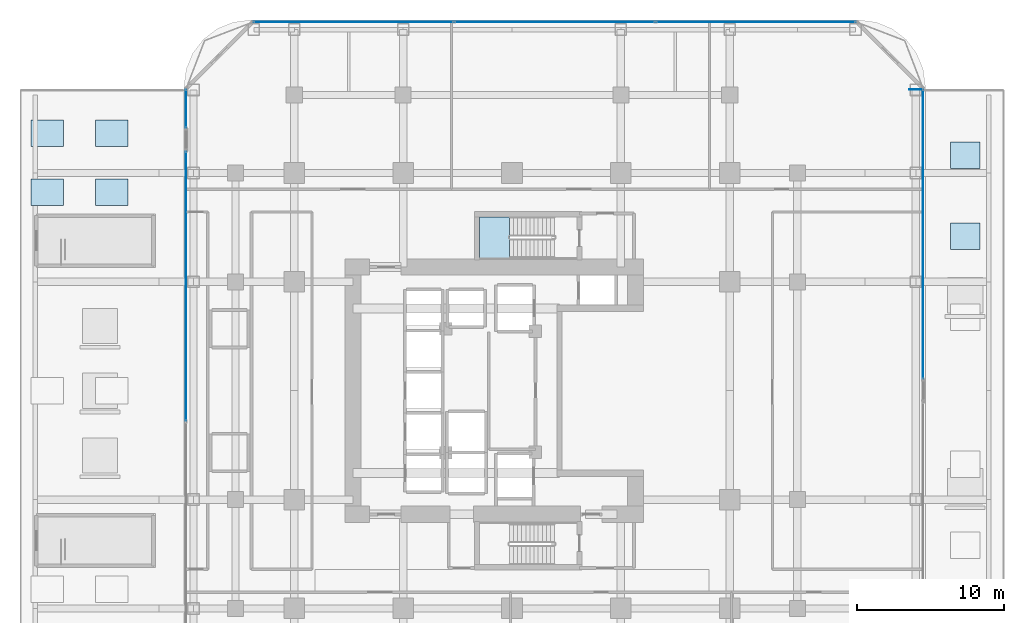
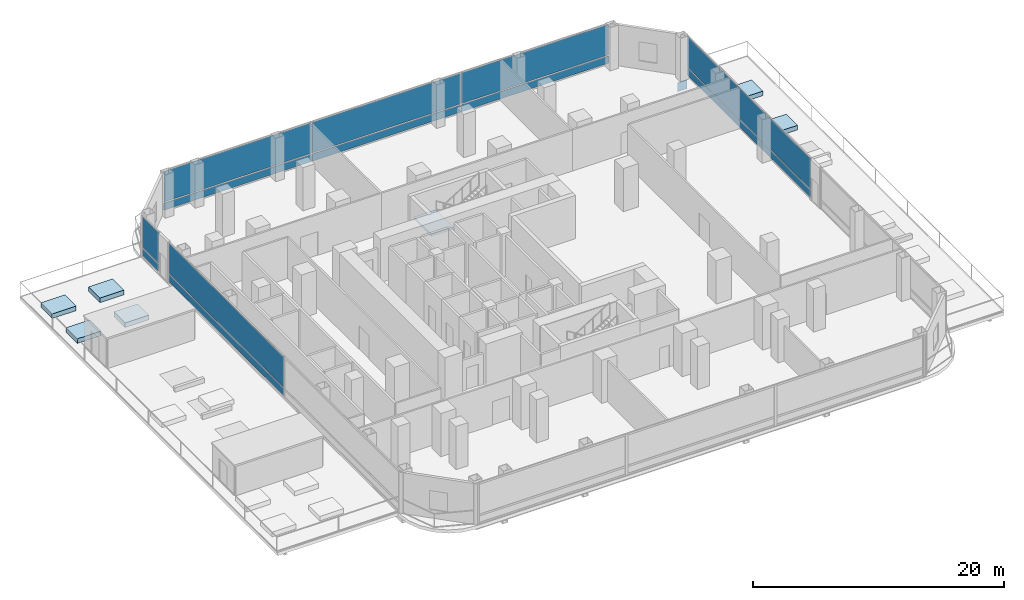
# One storey, part 22 of 29: 13 plates, 7 slabs, 5 elements without a shape of their own.
"""IFC4 building model written with IfcOpenShell, lengths in metres."""

import ifcopenshell
import ifcopenshell.guid

model = None  # the IFC model being written
_history = None  # IfcOwnerHistory: only IFC2X3 demands one
_inside = {}  # id of a spatial element -> (the spatial element, [elements in it])
_under = {}  # id of a project, library or spatial element -> (it, [spatial elements below it])
_declared = {}  # id of a project -> (the project, [libraries it declares])
_typed = {}  # id of a type object -> (the type object, [elements of that type])
_made_of = {}  # id of a material, layer set ... -> (it, [elements and type objects made of it])


def new_model(schema):
    """Start an empty IFC model of exactly this schema.

    Asked for "IFC4X3", IfcOpenShell would pick the latest addendum, in which some entities
    have other attributes; the version numbers below select the first issue.
    IFC2X3 requires an IfcOwnerHistory on every rooted entity: one is made here for all.
    """
    global model, _history
    if schema == "IFC4X3":
        model = ifcopenshell.file(schema_version=(4, 3, 0, 0))
    else:
        model = ifcopenshell.file(schema=schema)
    _inside.clear()
    _under.clear()
    _declared.clear()
    _typed.clear()
    _made_of.clear()
    _history = None
    if model.schema == "IFC2X3":
        org = make("IfcOrganization", Name="unknown")
        user = make(
            "IfcPersonAndOrganization",
            ThePerson=make("IfcPerson", FamilyName="unknown"),
            TheOrganization=org,
        )
        app = make(
            "IfcApplication",
            ApplicationDeveloper=org,
            Version="unknown",
            ApplicationFullName="unknown",
            ApplicationIdentifier="unknown",
        )
        _history = make(
            "IfcOwnerHistory",
            OwningUser=user,
            OwningApplication=app,
            ChangeAction="ADDED",
            CreationDate=0,
        )
    return model


def make(cls, **values):
    """One entity of the class cls with the attributes given. An attribute that is None is left unset."""
    return model.create_entity(
        cls, **{name: value for name, value in values.items() if value is not None}
    )


def rooted(cls, **values):
    """An entity with a GlobalId (a new one), such as an element, a storey or a relation."""
    return make(cls, GlobalId=ifcopenshell.guid.new(), OwnerHistory=_history, **values)


def si_unit(unit_type, name, prefix=None):
    """IfcSIUnit, for example si_unit("LENGTHUNIT", "METRE", prefix="MILLI")."""
    return make("IfcSIUnit", UnitType=unit_type, Prefix=prefix, Name=name)


def assignment(units):
    """IfcUnitAssignment: the units of a project."""
    return None if units is None else make("IfcUnitAssignment", Units=units)


def point(xyz):
    """IfcCartesianPoint."""
    return None if xyz is None else make("IfcCartesianPoint", Coordinates=xyz)


def direction(xyz):
    """IfcDirection."""
    return None if xyz is None else make("IfcDirection", DirectionRatios=xyz)


def frame(location, z_axis=None, x_axis=None):
    """IfcAxis2Placement3D, a coordinate frame: its origin and axes. An axis left out is left unset."""
    return make(
        "IfcAxis2Placement3D",
        Location=point(location),
        Axis=direction(z_axis),
        RefDirection=direction(x_axis),
    )


def frame_2d(location, x_axis=None):
    """IfcAxis2Placement2D, a coordinate frame in the plane: its origin and x axis."""
    return make(
        "IfcAxis2Placement2D", Location=point(location), RefDirection=direction(x_axis)
    )


def origin():
    """The frame at (0, 0, 0) with its axes left unset."""
    return frame((0.0, 0.0, 0.0))


def origin_2d():
    """The frame at (0, 0) in the plane with its x axis left unset."""
    return frame_2d((0.0, 0.0))


def place(relative_to, where):
    """IfcLocalPlacement: puts the frame where relative to a parent placement (None: the world)."""
    return make(
        "IfcLocalPlacement", PlacementRelTo=relative_to, RelativePlacement=where
    )


def context(
    kind, dimensions, precision=None, world=None, true_north=None, identifier=None
):
    """IfcGeometricRepresentationContext, for example the 3D "Model" context."""
    return make(
        "IfcGeometricRepresentationContext",
        ContextIdentifier=identifier,
        ContextType=kind,
        CoordinateSpaceDimension=dimensions,
        Precision=precision,
        WorldCoordinateSystem=world,
        TrueNorth=true_north,
    )


def subcontext(parent, identifier, kind, view, scale=None):
    """IfcGeometricRepresentationSubContext, for example "Body" below "Model"."""
    return make(
        "IfcGeometricRepresentationSubContext",
        ContextIdentifier=identifier,
        ContextType=kind,
        ParentContext=parent,
        TargetScale=scale,
        TargetView=view,
    )


def project(units=None, contexts=None):
    """IfcProject with its units and contexts."""
    return rooted(
        "IfcProject",
        Name="project",
        RepresentationContexts=contexts,
        UnitsInContext=assignment(units),
    )


def spatial(cls, under=None, at=None, **own):
    """A site, building, storey or space (cls), placed at a placement, below another one or the project."""
    s = rooted(cls, ObjectPlacement=at, **own)
    if under is not None:
        _under.setdefault(under.id(), (under, []))[1].append(s)
    return s


def polyline(points):
    """IfcPolyline through the points."""
    return make("IfcPolyline", Points=[point(p) for p in points])


def profile(cls, at=None, kind="AREA", **sizes):
    """A parametric profile (cls). Its sizes go by their IFC names, for example OverallWidth=200.0."""
    return make(cls, ProfileType=kind, Position=at, **sizes)


def rectangle(**sizes):
    """IfcRectangleProfileDef."""
    return profile("IfcRectangleProfileDef", **sizes)


def outline(outer, holes=None, kind="AREA"):
    """IfcArbitraryClosedProfileDef: a profile drawn as a closed curve; with holes, ...WithVoids."""
    if holes is None:
        return make("IfcArbitraryClosedProfileDef", ProfileType=kind, OuterCurve=outer)
    return make(
        "IfcArbitraryProfileDefWithVoids",
        ProfileType=kind,
        OuterCurve=outer,
        InnerCurves=holes,
    )


def extrude(swept, where, along, depth):
    """IfcExtrudedAreaSolid: the profile swept, set in the frame where, extruded along a direction by depth."""
    return make(
        "IfcExtrudedAreaSolid",
        SweptArea=swept,
        Position=where,
        ExtrudedDirection=direction(along),
        Depth=depth,
    )


def shape(context_of_items, identifier, shape_type, items):
    """IfcShapeRepresentation: the items that make up one representation, for example the "Body"."""
    return make(
        "IfcShapeRepresentation",
        ContextOfItems=context_of_items,
        RepresentationIdentifier=identifier,
        RepresentationType=shape_type,
        Items=items,
    )


def material(Name=None, Category=None):
    """IfcMaterial."""
    return make("IfcMaterial", Name=Name, Category=Category)


def layer(
    of_material, thickness, ventilated=None, Name=None, Category=None, Priority=None
):
    """IfcMaterialLayer: one layer of a wall or slab, of a material (None: an air gap)."""
    return make(
        "IfcMaterialLayer",
        Material=of_material,
        LayerThickness=thickness,
        IsVentilated=ventilated,
        Name=Name,
        Category=Category,
        Priority=Priority,
    )


def layer_set(layers, Name=None):
    """IfcMaterialLayerSet."""
    return make("IfcMaterialLayerSet", MaterialLayers=layers, LayerSetName=Name)


def made_of(thing, what):
    """Note that an element or type object is made of a material, layer set ...; save() writes the relation."""
    if what is not None:
        _made_of.setdefault(what.id(), (what, []))[1].append(thing)
    return thing


def type_object(cls, material=None, **own):
    """A type object (cls), such as IfcWallType, which elements share."""
    return made_of(rooted(cls, **own), material)


def element(
    cls,
    number,
    at=None,
    inside=None,
    cuts=None,
    type_object=None,
    material=None,
    context=None,
    identifier="Body",
    shape_type=None,
    held_by="IfcProductDefinitionShape",
    body=None,
    shapes=None,
    **own,
):
    """One element of the class cls, such as IfcWall. Its Tag is "e" and its number.

    at: its placement. inside: the storey or other place that contains it. cuts: it is an
    opening in that element (IfcRelVoidsElement). A single representation is given by context,
    identifier, shape_type and body (its items); several are given by shapes. held_by: the class
    of the entity that holds the representations. save() writes the other relations.
    """
    e = rooted(cls, Tag="e%d" % number, ObjectPlacement=at, **own)
    if body is not None:
        shapes = [shape(context, identifier, shape_type, body)]
    if shapes is not None:
        e.Representation = make(held_by, Representations=shapes)
    if inside is not None:
        _inside.setdefault(inside.id(), (inside, []))[1].append(e)
    if cuts is not None:
        rooted(
            "IfcRelVoidsElement", RelatingBuildingElement=cuts, RelatedOpeningElement=e
        )
    if type_object is not None:
        _typed.setdefault(type_object.id(), (type_object, []))[1].append(e)
    return made_of(e, material)


def aggregate(whole, parts):
    """IfcRelAggregates: a whole, such as a stair, and the parts it consists of."""
    return rooted("IfcRelAggregates", RelatingObject=whole, RelatedObjects=parts)


def save(model, path):
    """Write the relations noted so far, then the file.

    IfcRelAggregates (storeys below a building ...), IfcRelContainedInSpatialStructure (elements
    in a storey), IfcRelDefinesByType, IfcRelAssociatesMaterial and IfcRelDeclares: one each for
    every whole, place, type object, material and project.
    """
    for whole, parts in _under.values():
        aggregate(whole, parts)
    for where, things in _inside.values():
        rooted(
            "IfcRelContainedInSpatialStructure",
            RelatedElements=things,
            RelatingStructure=where,
        )
    for kind, things in _typed.values():
        rooted("IfcRelDefinesByType", RelatedObjects=things, RelatingType=kind)
    for what, things in _made_of.values():
        rooted("IfcRelAssociatesMaterial", RelatedObjects=things, RelatingMaterial=what)
    for by, libraries in _declared.values():
        rooted("IfcRelDeclares", RelatingContext=by, RelatedDefinitions=libraries)
    model.write(path)


model = new_model("IFC4")

# Units and contexts
model_context = context("Model", 3, precision=1e-05, world=origin(), true_north=direction((0.0, 1.0)))
body_context = subcontext(model_context, "Body", "Model", "MODEL_VIEW")
ifc_project = project(units=[si_unit("LENGTHUNIT", "METRE"), si_unit("AREAUNIT", "SQUARE_METRE"), si_unit("VOLUMEUNIT", "CUBIC_METRE"), si_unit("PLANEANGLEUNIT", "RADIAN"), si_unit("MASSUNIT", "GRAM", prefix="KILO")], contexts=[model_context])

# Site, building, storey
site_placement = place(None, origin())
site = spatial("IfcSite", under=ifc_project, at=site_placement, CompositionType="ELEMENT")
building_placement = place(site_placement, origin())
building = spatial("IfcBuilding", under=site, at=building_placement, Name="Khorvyn Point Tower", CompositionType="ELEMENT")
storey_placement = place(building_placement, frame((0.0, 0.0, 26.39990234375)))
storey = spatial("IfcBuildingStorey", under=building, at=storey_placement, Name="L07", CompositionType="ELEMENT", Elevation=26.39990234375)

# Slabs
ifc_material_1 = material(Name="Concrete C35/45", Category="concrete")
ifc_layer_1 = layer(ifc_material_1, 0.449951171875)
ifc_layer_set_1 = layer_set([ifc_layer_1], Name="Concrete C35/45 Structural Garden Planter 450")
slab_type_1 = type_object("IfcSlabType", Name="Concrete C35/45 Structural Garden Planter 450", PredefinedType="USERDEFINED", material=ifc_layer_set_1)
slab_1_placement = place(storey_placement, origin())
element("IfcSlab", 1, at=slab_1_placement, inside=storey, type_object=slab_type_1, Name="L07 Botanical Garden Raised Planter 07", ObjectType="PLANTER", PredefinedType="USERDEFINED", context=body_context, shape_type="SweptSolid", body=[
    extrude(outline(polyline([(-32.699951171875, 12.60009765625), (-30.5, 12.60009765625), (-30.5, 14.39990234375), (-32.699951171875, 14.39990234375), (-32.699951171875, 12.60009765625)])), origin(), (0.0, 0.0, 1.0), 0.4501953125),
])
slab_2_placement = place(storey_placement, origin())
element("IfcSlab", 2, at=slab_2_placement, inside=storey, type_object=slab_type_1, Name="L07 Botanical Garden Raised Planter 08", ObjectType="PLANTER", PredefinedType="USERDEFINED", context=body_context, shape_type="SweptSolid", body=[
    extrude(outline(polyline([(-28.300048828125, 12.60009765625), (-26.10009765625, 12.60009765625), (-26.10009765625, 14.39990234375), (-28.300048828125, 14.39990234375), (-28.300048828125, 12.60009765625)])), origin(), (0.0, 0.0, 1.0), 0.4501953125),
])
slab_3_placement = place(storey_placement, origin())
element("IfcSlab", 3, at=slab_3_placement, inside=storey, type_object=slab_type_1, Name="L07 Botanical Garden Raised Planter 09", ObjectType="PLANTER", PredefinedType="USERDEFINED", context=body_context, shape_type="SweptSolid", body=[
    extrude(outline(polyline([(-32.699951171875, 16.60009765625), (-30.5, 16.60009765625), (-30.5, 18.39990234375), (-32.699951171875, 18.39990234375), (-32.699951171875, 16.60009765625)])), origin(), (0.0, 0.0, 1.0), 0.4501953125),
])
slab_4_placement = place(storey_placement, origin())
element("IfcSlab", 4, at=slab_4_placement, inside=storey, type_object=slab_type_1, Name="L07 Botanical Garden Raised Planter 10", ObjectType="PLANTER", PredefinedType="USERDEFINED", context=body_context, shape_type="SweptSolid", body=[
    extrude(outline(polyline([(-28.300048828125, 16.60009765625), (-26.10009765625, 16.60009765625), (-26.10009765625, 18.39990234375), (-28.300048828125, 18.39990234375), (-28.300048828125, 16.60009765625)])), origin(), (0.0, 0.0, 1.0), 0.4501953125),
])
slab_5_placement = place(storey_placement, origin())
element("IfcSlab", 5, at=slab_5_placement, inside=storey, type_object=slab_type_1, Name="L07 East Botanical Garden Planter 15", ObjectType="PLANTER", PredefinedType="USERDEFINED", context=body_context, shape_type="SweptSolid", body=[
    extrude(outline(polyline([(29.800048828125, 9.60009765625), (31.800048828125, 9.60009765625), (31.800048828125, 11.39990234375), (29.800048828125, 11.39990234375), (29.800048828125, 9.60009765625)])), origin(), (0.0, 0.0, 1.0), 0.4501953125),
])
slab_6_placement = place(storey_placement, origin())
element("IfcSlab", 6, at=slab_6_placement, inside=storey, type_object=slab_type_1, Name="L07 East Botanical Garden Planter 16", ObjectType="PLANTER", PredefinedType="USERDEFINED", context=body_context, shape_type="SweptSolid", body=[
    extrude(outline(polyline([(29.800048828125, 15.10009765625), (31.800048828125, 15.10009765625), (31.800048828125, 16.89990234375), (29.800048828125, 16.89990234375), (29.800048828125, 15.10009765625)])), origin(), (0.0, 0.0, 1.0), 0.4501953125),
])

# Stair, slab
ifc_material_2 = material(Name="Concrete C40/50", Category="concrete")
stair_type = type_object("IfcStairType", Name="Tower Concrete C40/50 Dogleg Exit Stair", PredefinedType="HALF_TURN_STAIR", material=ifc_material_2)
stair_placement = place(storey_placement, origin())
stair = element("IfcStair", 7, at=stair_placement, inside=storey, type_object=stair_type, Name="L07 Tower Smokeproof Exit Stair North", PredefinedType="HALF_TURN_STAIR")
ifc_layer_2 = layer(ifc_material_2, 0.199951171875)
ifc_layer_set_2 = layer_set([ifc_layer_2], Name="Concrete C40/50 Stair Landing Slab 200")
slab_type_2 = type_object("IfcSlabType", Name="Concrete C40/50 Stair Landing Slab 200", PredefinedType="LANDING", material=ifc_layer_set_2)
slab_7_placement = place(storey_placement, frame((0.0, 0.0, 1.900146484375)))
slab_7 = element("IfcSlab", 8, at=slab_7_placement, type_object=slab_type_2, Name="ST-02 landing 1", PredefinedType="LANDING", context=body_context, shape_type="SweptSolid", body=[
    extrude(outline(polyline([(-0.179931640625, 11.820068359375), (-2.199951171875, 11.820068359375), (-2.199951171875, 9.02001953125), (-0.179931640625, 9.02001953125), (-0.179931640625, 11.820068359375)])), origin(), (0.0, 0.0, 1.0), 0.199951171875),
])
aggregate(stair, [slab_7])

# Curtain wall, plates
ifc_material_3 = material(Name="Anodised aluminium 6063-T6 and laminated Low-E glass", Category="aluminium")
ifc_layer_3 = layer(ifc_material_3, 0.18994140625)
ifc_layer_set_3 = layer_set([ifc_layer_3], Name="Stick-Built Finned Residential Curtain Wall CW-SYS-02")
curtain_wall_type = type_object("IfcCurtainWallType", Name="Stick-Built Finned Residential Curtain Wall CW-SYS-02", PredefinedType="NOTDEFINED", material=ifc_layer_set_3)
curtain_wall_1_placement = place(storey_placement, origin())
curtain_wall_1 = element("IfcCurtainWall", 9, at=curtain_wall_1_placement, inside=storey, type_object=curtain_wall_type, Name="Curtain Wall", PredefinedType="NOTDEFINED")
ifc_material_4 = material(Name="Pale anodised aluminium 5005", Category="aluminium")
ifc_layer_4 = layer(ifc_material_4, 0.0400390625)
ifc_layer_set_4 = layer_set([ifc_layer_4], Name="Pale Champagne Aluminium Insulated Spandrel Panel CW-SP40")
plate_type_1 = type_object("IfcPlateType", Name="Pale Champagne Aluminium Insulated Spandrel Panel CW-SP40", PredefinedType="SHEET", material=ifc_layer_set_4)
plate_1_placement = place(storey_placement, frame((-10.77490234375, 25.050048828125, 0.10009765625), z_axis=(0.0, 0.0, 1.0), x_axis=(1.0, 0.0, 0.0)))
plate_1 = element("IfcPlate", 10, at=plate_1_placement, type_object=plate_type_1, Name="Panel", PredefinedType="SHEET", context=body_context, shape_type="SweptSolid", body=[
    extrude(rectangle(XDim=13.550048828125, YDim=0.0400390625, at=origin_2d()), origin(), (0.0, 0.0, 1.0), 0.699951171875),
])
plate_2_placement = place(storey_placement, frame((2.89990234375, 25.050048828125, 0.10009765625), z_axis=(0.0, 0.0, 1.0), x_axis=(1.0, 0.0, 0.0)))
plate_2 = element("IfcPlate", 11, at=plate_2_placement, type_object=plate_type_1, Name="Panel", PredefinedType="SHEET", context=body_context, shape_type="SweptSolid", body=[
    extrude(rectangle(XDim=13.60009765625, YDim=0.0400390625, at=origin_2d()), origin(), (0.0, 0.0, 1.0), 0.699951171875),
])
plate_3_placement = place(storey_placement, frame((16.574951171875, 25.050048828125, 0.10009765625), z_axis=(0.0, 0.0, 1.0), x_axis=(1.0, 0.0, 0.0)))
plate_3 = element("IfcPlate", 12, at=plate_3_placement, type_object=plate_type_1, Name="Panel", PredefinedType="SHEET", context=body_context, shape_type="SweptSolid", body=[
    extrude(rectangle(XDim=13.550048828125, YDim=0.0400390625, at=origin_2d()), origin(), (0.0, 0.0, 1.0), 0.699951171875),
])

# Curtain wall, plate
curtain_wall_2_placement = place(storey_placement, origin())
curtain_wall_2 = element("IfcCurtainWall", 13, at=curtain_wall_2_placement, inside=storey, type_object=curtain_wall_type, Name="Curtain Wall", PredefinedType="NOTDEFINED")
plate_4_placement = place(storey_placement, frame((-22.14990234375, 7.092529296875, 0.10009765625), z_axis=(0.0, 0.0, 1.0), x_axis=(0.0, 1.0, 0.0)))
plate_4 = element("IfcPlate", 14, at=plate_4_placement, type_object=plate_type_1, Name="Panel", PredefinedType="SHEET", context=body_context, shape_type="SweptSolid", body=[
    extrude(rectangle(XDim=18.294921875, YDim=0.0400390625, at=origin_2d()), origin(), (0.0, 0.0, 1.0), 0.699951171875),
])

curtain_wall_3_placement = place(storey_placement, origin())
curtain_wall_3 = element("IfcCurtainWall", 15, at=curtain_wall_3_placement, inside=storey, type_object=curtain_wall_type, Name="Curtain Wall", PredefinedType="NOTDEFINED")
plate_5_placement = place(storey_placement, frame((-22.14990234375, 19.1650390625, 0.10009765625), z_axis=(0.0, 0.0, 1.0), x_axis=(0.0, 1.0, 0.0)))
plate_5 = element("IfcPlate", 16, at=plate_5_placement, type_object=plate_type_1, Name="Panel", PredefinedType="SHEET", context=body_context, shape_type="SweptSolid", body=[
    extrude(rectangle(XDim=2.570068359375, YDim=0.0400390625, at=origin_2d()), origin(), (0.0, 0.0, 1.0), 0.699951171875),
])

curtain_wall_4_placement = place(storey_placement, origin())
curtain_wall_4 = element("IfcCurtainWall", 17, at=curtain_wall_4_placement, inside=storey, type_object=curtain_wall_type, Name="Curtain Wall", PredefinedType="NOTDEFINED")
plate_6_placement = place(storey_placement, frame((27.949951171875, 10.635009765625, 0.10009765625), z_axis=(0.0, 0.0, 1.0), x_axis=(0.0, -1.0, 0.0)))
plate_6 = element("IfcPlate", 18, at=plate_6_placement, type_object=plate_type_1, Name="Panel", PredefinedType="SHEET", context=body_context, shape_type="SweptSolid", body=[
    extrude(rectangle(XDim=19.6298828125, YDim=0.0400390625, at=origin_2d()), origin(), (0.0, 0.0, 1.0), 0.699951171875),
])

# Plate
ifc_material_5 = material(Name="Steel S450", Category="steel")
ifc_layer_5 = layer(ifc_material_5, 0.031982421875)
ifc_layer_set_5 = layer_set([ifc_layer_5], Name="Steel S450 Exoskeleton End Cap Plate 32")
plate_type_2 = type_object("IfcPlateType", Name="Steel S450 Exoskeleton End Cap Plate 32", PredefinedType="USERDEFINED", material=ifc_layer_set_5)
plate_7_placement = place(storey_placement, frame((27.449951171875, 20.4599609375, -1.2001953125), z_axis=(0.0, 0.0, 1.0), x_axis=(1.0, 0.0, 0.0)))
element("IfcPlate", 19, at=plate_7_placement, inside=storey, type_object=plate_type_2, Name="Plate", ObjectType="GUSSET", PredefinedType="USERDEFINED", context=body_context, shape_type="SweptSolid", body=[
    extrude(rectangle(XDim=0.860107421875, YDim=0.031982421875, at=origin_2d()), origin(), (0.0, 0.0, 1.0), 0.860107421875),
])

ifc_material_6 = material(Name="Laminated Low-E insulated glass", Category="glass")
ifc_layer_6 = layer(ifc_material_6, 0.028076171875)
ifc_layer_set_6 = layer_set([ifc_layer_6], Name="Tempered Low-E Vision Glazing Panel CW-GL28")
plate_type_3 = type_object("IfcPlateType", Name="Tempered Low-E Vision Glazing Panel CW-GL28", PredefinedType="CURTAIN_PANEL", material=ifc_layer_set_6)
plate_8_placement = place(storey_placement, frame((-10.77490234375, 25.050048828125, 0.900146484375), z_axis=(0.0, 0.0, 1.0), x_axis=(1.0, 0.0, 0.0)))
plate_8 = element("IfcPlate", 20, at=plate_8_placement, type_object=plate_type_3, Name="Panel", PredefinedType="CURTAIN_PANEL", context=body_context, shape_type="SweptSolid", body=[
    extrude(rectangle(XDim=13.550048828125, YDim=0.028076171875, at=origin_2d()), origin(), (0.0, 0.0, 1.0), 2.97998046875),
])

plate_9_placement = place(storey_placement, frame((2.89990234375, 25.050048828125, 0.900146484375), z_axis=(0.0, 0.0, 1.0), x_axis=(1.0, 0.0, 0.0)))
plate_9 = element("IfcPlate", 21, at=plate_9_placement, type_object=plate_type_3, Name="Panel", PredefinedType="CURTAIN_PANEL", context=body_context, shape_type="SweptSolid", body=[
    extrude(rectangle(XDim=13.60009765625, YDim=0.028076171875, at=origin_2d()), origin(), (0.0, 0.0, 1.0), 2.97998046875),
])

plate_10_placement = place(storey_placement, frame((16.574951171875, 25.050048828125, 0.900146484375), z_axis=(0.0, 0.0, 1.0), x_axis=(1.0, 0.0, 0.0)))
plate_10 = element("IfcPlate", 22, at=plate_10_placement, type_object=plate_type_3, Name="Panel", PredefinedType="CURTAIN_PANEL", context=body_context, shape_type="SweptSolid", body=[
    extrude(rectangle(XDim=13.550048828125, YDim=0.028076171875, at=origin_2d()), origin(), (0.0, 0.0, 1.0), 2.97998046875),
])

aggregate(curtain_wall_1, [plate_1, plate_8, plate_2, plate_9, plate_3, plate_10])

plate_11_placement = place(storey_placement, frame((-22.14990234375, 7.092529296875, 0.900146484375), z_axis=(0.0, 0.0, 1.0), x_axis=(0.0, 1.0, 0.0)))
plate_11 = element("IfcPlate", 23, at=plate_11_placement, type_object=plate_type_3, Name="Panel", PredefinedType="CURTAIN_PANEL", context=body_context, shape_type="SweptSolid", body=[
    extrude(rectangle(XDim=18.294921875, YDim=0.028076171875, at=origin_2d()), origin(), (0.0, 0.0, 1.0), 2.97998046875),
])

aggregate(curtain_wall_2, [plate_4, plate_11])

plate_12_placement = place(storey_placement, frame((-22.14990234375, 19.1650390625, 0.900146484375), z_axis=(0.0, 0.0, 1.0), x_axis=(0.0, 1.0, 0.0)))
plate_12 = element("IfcPlate", 24, at=plate_12_placement, type_object=plate_type_3, Name="Panel", PredefinedType="CURTAIN_PANEL", context=body_context, shape_type="SweptSolid", body=[
    extrude(rectangle(XDim=2.570068359375, YDim=0.028076171875, at=origin_2d()), origin(), (0.0, 0.0, 1.0), 2.97998046875),
])

aggregate(curtain_wall_3, [plate_5, plate_12])

plate_13_placement = place(storey_placement, frame((27.949951171875, 10.635009765625, 0.900146484375), z_axis=(0.0, 0.0, 1.0), x_axis=(0.0, -1.0, 0.0)))
plate_13 = element("IfcPlate", 25, at=plate_13_placement, type_object=plate_type_3, Name="Panel", PredefinedType="CURTAIN_PANEL", context=body_context, shape_type="SweptSolid", body=[
    extrude(rectangle(XDim=19.6298828125, YDim=0.028076171875, at=origin_2d()), origin(), (0.0, 0.0, 1.0), 2.97998046875),
])

aggregate(curtain_wall_4, [plate_6, plate_13])

save(model, "model.ifc")
